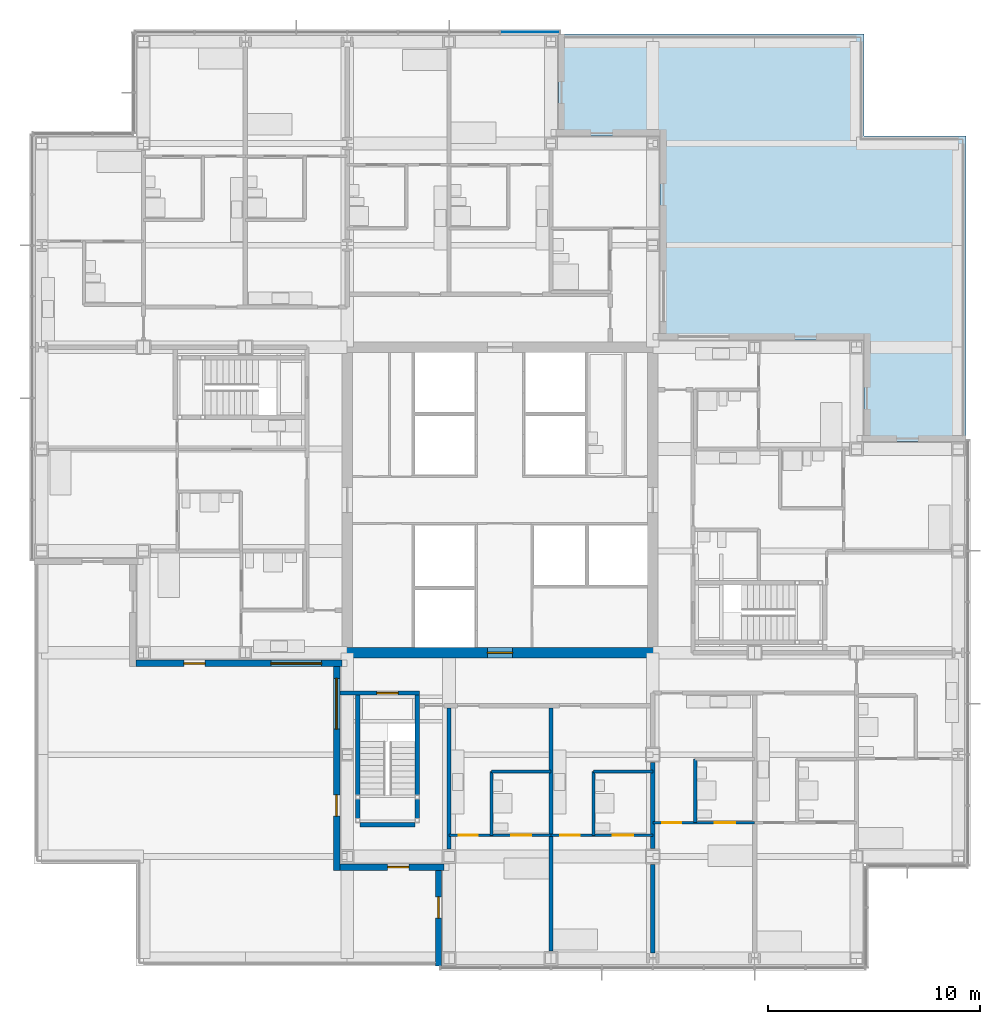
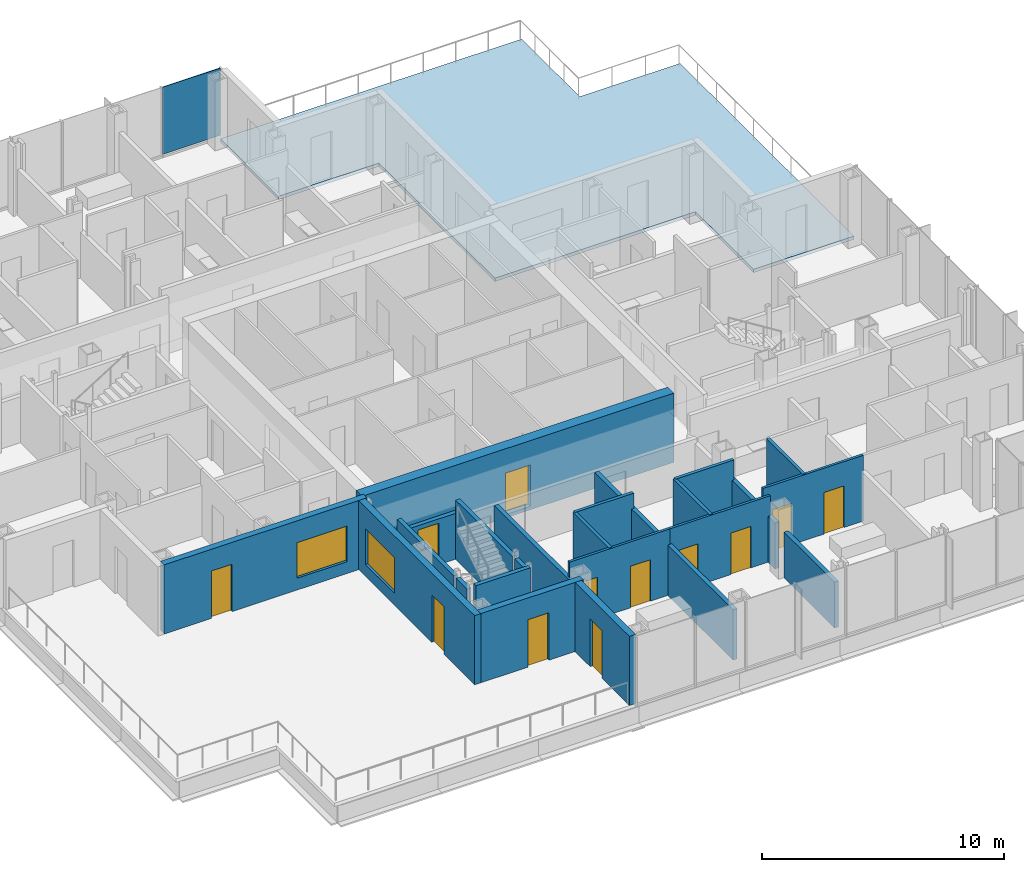
# One storey, part 11 of 19: 23 walls, 12 doors, 2 windows, 1 plate, 1 slab, 14 openings, 1 element without a shape of its own.
"""IFC4 building model written with IfcOpenShell, lengths in metres."""

from ifc_helpers import new_model, si_unit, direction, frame, frame_2d, origin, origin_2d, place, context, subcontext, project, spatial, polyline, rectangle, outline, extrude, material, layer, layer_set, type_object, element, fill, aggregate, save


model = new_model("IFC4")

# Units and contexts
model_context = context("Model", 3, precision=1e-05, world=origin(), true_north=direction((0.0, 1.0)))
body_context = subcontext(model_context, "Body", "Model", "MODEL_VIEW")
ifc_project = project(units=[si_unit("LENGTHUNIT", "METRE"), si_unit("AREAUNIT", "SQUARE_METRE"), si_unit("VOLUMEUNIT", "CUBIC_METRE"), si_unit("PLANEANGLEUNIT", "RADIAN"), si_unit("MASSUNIT", "GRAM", prefix="KILO")], contexts=[model_context])

# Site, building, storey
site_placement = place(None, origin())
site = spatial("IfcSite", under=ifc_project, at=site_placement, CompositionType="ELEMENT")
building_placement = place(site_placement, origin())
building = spatial("IfcBuilding", under=site, at=building_placement, Name="Kvirike Care Tower", CompositionType="ELEMENT")
storey_placement = place(building_placement, frame((0.0, 0.0, 84.0)))
storey = spatial("IfcBuildingStorey", under=building, at=storey_placement, Name="L22", CompositionType="ELEMENT", Elevation=84.0)

# Slab
ifc_material_1 = material(Name="Concrete C35/45", Category="concrete")
ifc_layer_1 = layer(ifc_material_1, 0.169921875)
ifc_layer_set_1 = layer_set([ifc_layer_1], Name="TERRACE SLAB 170")
slab_type = type_object("IfcSlabType", Name="TERRACE SLAB 170", PredefinedType="ROOF", material=ifc_layer_set_1)
slab_placement = place(storey_placement, frame((0.0, 0.0, -0.169921875)))
element("IfcSlab", 1, at=slab_placement, inside=storey, type_object=slab_type, Name="Terrace L22 2", PredefinedType="ROOF", context=body_context, shape_type="SweptSolid", body=[
    extrude(outline(polyline([(38.75, 57.949951171875), (24.35009765625, 57.949951171875), (24.35009765625, 53.14990234375), (29.14990234375, 53.14990234375), (29.14990234375, 43.550048828125), (38.75, 43.550048828125), (38.75, 38.75), (43.550048828125, 38.75), (43.550048828125, 53.14990234375), (38.75, 53.14990234375), (38.75, 57.949951171875)])), origin(), (0.0, 0.0, 1.0), 0.169921875),
])

# Curtain wall, plate
ifc_material_2 = material(Name="Anodised aluminium stick system", Category="aluminium")
curtain_wall_type = type_object("IfcCurtainWallType", Name="CW-B STICK CURTAIN WALL", PredefinedType="NOTDEFINED", material=ifc_material_2)
curtain_wall_placement = place(storey_placement, origin())
curtain_wall = element("IfcCurtainWall", 2, at=curtain_wall_placement, inside=storey, type_object=curtain_wall_type, Name="Curtain wall L22 face 8", PredefinedType="NOTDEFINED")
ifc_material_3 = material(Name="Tinted double glazed unit", Category="glass")
ifc_layer_2 = layer(ifc_material_3, 0.035888671875)
ifc_layer_set_2 = layer_set([ifc_layer_2], Name="TINTED VISION PANEL 36")
plate_type = type_object("IfcPlateType", Name="TINTED VISION PANEL 36", PredefinedType="CURTAIN_PANEL", material=ifc_layer_set_2)
plate_placement = place(storey_placement, frame((23.013671875, 58.06005859375, 0.10009765625), z_axis=(0.0, 0.0, 1.0), x_axis=(-1.0, 0.0, 0.0)))
plate = element("IfcPlate", 3, at=plate_placement, type_object=plate_type, Name="CW-B panel L22 face 8.1", PredefinedType="CURTAIN_PANEL", context=body_context, shape_type="SweptSolid", body=[
    extrude(rectangle(XDim=2.762451171875, YDim=0.035888671875, at=origin_2d()), origin(), (0.0, 0.0, 1.0), 3.39990234375),
])
aggregate(curtain_wall, [plate])

# Walls
ifc_material_4 = material(Name="Moisture-resistant board partition", Category="gypsum")
ifc_layer_3 = layer(ifc_material_4, 0.14990234375)
ifc_layer_set_3 = layer_set([ifc_layer_3], Name="BATHROOM WALL 150")
wall_type_1 = type_object("IfcWallType", Name="BATHROOM WALL 150", PredefinedType="PARTITIONING", material=ifc_layer_set_3)
wall_1_placement = place(storey_placement, frame((21.199951171875, 20.199951171875, 0.0), z_axis=(0.0, 0.0, 1.0), x_axis=(0.0, 1.0, 0.0)))
element("IfcWall", 4, at=wall_1_placement, inside=storey, type_object=wall_type_1, Name="Bathroom Wall 150 L22", PredefinedType="PARTITIONING", context=body_context, shape_type="SweptSolid", body=[
    extrude(rectangle(XDim=3.0, YDim=0.14990234375, at=frame_2d((1.5, 0.0))), origin(), (0.0, 0.0, 1.0), 3.330078125),
])
wall_2_placement = place(storey_placement, frame((21.199951171875, 23.199951171875, 0.0), z_axis=(0.0, 0.0, 1.0), x_axis=(1.0, 0.0, 0.0)))
element("IfcWall", 5, at=wall_2_placement, inside=storey, type_object=wall_type_1, Name="Bathroom Wall 150 L22", PredefinedType="PARTITIONING", context=body_context, shape_type="SweptSolid", body=[
    extrude(rectangle(XDim=2.800048828125, YDim=0.14990234375, at=frame_2d((1.39990234375, 0.0))), origin(), (0.0, 0.0, 1.0), 3.330078125),
])
wall_3_placement = place(storey_placement, frame((26.0, 20.199951171875, 0.0), z_axis=(0.0, 0.0, 1.0), x_axis=(0.0, 1.0, 0.0)))
element("IfcWall", 6, at=wall_3_placement, inside=storey, type_object=wall_type_1, Name="Bathroom Wall 150 L22", PredefinedType="PARTITIONING", context=body_context, shape_type="SweptSolid", body=[
    extrude(rectangle(XDim=3.0, YDim=0.14990234375, at=frame_2d((1.5, 0.0))), origin(), (0.0, 0.0, 1.0), 3.330078125),
])
wall_4_placement = place(storey_placement, frame((26.0, 23.199951171875, 0.0), z_axis=(0.0, 0.0, 1.0), x_axis=(1.0, 0.0, 0.0)))
element("IfcWall", 7, at=wall_4_placement, inside=storey, type_object=wall_type_1, Name="Bathroom Wall 150 L22", PredefinedType="PARTITIONING", context=body_context, shape_type="SweptSolid", body=[
    extrude(rectangle(XDim=2.800048828125, YDim=0.14990234375, at=frame_2d((1.39990234375, 0.0))), origin(), (0.0, 0.0, 1.0), 3.330078125),
])
wall_5_placement = place(storey_placement, frame((30.800048828125, 20.800048828125, 0.0), z_axis=(0.0, 0.0, 1.0), x_axis=(0.0, 1.0, 0.0)))
element("IfcWall", 8, at=wall_5_placement, inside=storey, type_object=wall_type_1, Name="Bathroom Wall 150 L22", PredefinedType="PARTITIONING", context=body_context, shape_type="SweptSolid", body=[
    extrude(rectangle(XDim=3.0, YDim=0.14990234375, at=frame_2d((1.5, 0.0))), origin(), (0.0, 0.0, 1.0), 3.330078125),
])

# Wall, opening, door
ifc_material_5 = material(Name="Concrete C50/60", Category="concrete")
ifc_layer_4 = layer(ifc_material_5, 0.5)
ifc_layer_set_4 = layer_set([ifc_layer_4], Name="CORE WALL 500 C50-60")
wall_type_2 = type_object("IfcWallType", Name="CORE WALL 500 C50-60", PredefinedType="SHEAR", material=ifc_layer_set_4)
wall_6_placement = place(storey_placement, frame((14.14990234375, 28.800048828125, -0.169921875), z_axis=(0.0, 0.0, 1.0), x_axis=(1.0, 0.0, 0.0)))
wall_6 = element("IfcWall", 9, at=wall_6_placement, inside=storey, type_object=wall_type_2, Name="Core wall S L22", PredefinedType="SHEAR", context=body_context, shape_type="SweptSolid", body=[
    extrude(rectangle(XDim=14.900146484375, YDim=0.5, at=frame_2d((7.4501953125, 0.0))), origin(), (0.0, 0.0, 1.0), 3.5),
])
opening_1_placement = place(wall_6_placement, frame((6.85009765625, 0.0, 0.169921875)))
opening_1 = element("IfcOpeningElement", 10, at=opening_1_placement, cuts=wall_6, Name="Opening 22-067", PredefinedType="OPENING", context=body_context, shape_type="SweptSolid", body=[
    extrude(rectangle(XDim=1.199951171875, YDim=2.10009765625, at=frame_2d((0.60009765625, 1.050048828125))), frame((0.0, 0.260498046875, 0.0), z_axis=(0.0, -1.0, 0.0), x_axis=(1.0, 0.0, 0.0)), (0.0, 0.0, 1.0), 0.52099609375),
])
ifc_material_6 = material(Name="Timber door set", Category="wood")
door_type_1 = type_object("IfcDoorType", Name="CORE DOOR 1200", OperationType="SINGLE_SWING_LEFT", PredefinedType="DOOR", material=ifc_material_6)
door_1_placement = place(opening_1_placement, origin())
door_1 = element("IfcDoor", 11, at=door_1_placement, inside=storey, type_object=door_type_1, Name="Core door S L22", OperationType="SINGLE_SWING_LEFT", OverallHeight=2.10009765625, OverallWidth=1.199951171875, PredefinedType="DOOR", context=body_context, shape_type="SweptSolid", body=[
    extrude(rectangle(XDim=1.199951171875, YDim=2.10009765625, at=frame_2d((0.60009765625, 1.050048828125))), frame((0.0, 0.02685546875, 0.0), z_axis=(0.0, -1.0, 0.0), x_axis=(1.0, 0.0, 0.0)), (0.0, 0.0, 1.0), 0.053955078125),
])
fill(opening_1, door_1)

# Wall, openings, doors
ifc_material_7 = material(Name="Plasterboard partition", Category="gypsum")
ifc_layer_5 = layer(ifc_material_7, 0.1201171875)
ifc_layer_set_5 = layer_set([ifc_layer_5], Name="PARTITION 120")
wall_type_3 = type_object("IfcWallType", Name="PARTITION 120", PredefinedType="PARTITIONING", material=ifc_layer_set_5)
wall_7_placement = place(storey_placement, frame((19.199951171875, 20.199951171875, 0.0), z_axis=(0.0, 0.0, 1.0), x_axis=(1.0, 0.0, 0.0)))
wall_7 = element("IfcWall", 12, at=wall_7_placement, inside=storey, type_object=wall_type_3, Name="Partition 120 L22", PredefinedType="PARTITIONING", context=body_context, shape_type="SweptSolid", body=[
    extrude(rectangle(XDim=4.800048828125, YDim=0.1201171875, at=frame_2d((2.39990234375, 0.0))), origin(), (0.0, 0.0, 1.0), 3.330078125),
])
opening_2_placement = place(wall_7_placement, frame((0.449951171875, 0.0, 0.0)))
opening_2 = element("IfcOpeningElement", 13, at=opening_2_placement, cuts=wall_7, Name="Opening 22-019", PredefinedType="OPENING", context=body_context, shape_type="SweptSolid", body=[
    extrude(rectangle(XDim=0.89990234375, YDim=2.10009765625, at=frame_2d((0.449951171875, 1.050048828125))), frame((0.0, 0.070556640625, 0.0), z_axis=(0.0, -1.0, 0.0), x_axis=(1.0, 0.0, 0.0)), (0.0, 0.0, 1.0), 0.14111328125),
])
opening_3_placement = place(wall_7_placement, frame((2.925048828125, 0.0, 0.0)))
opening_3 = element("IfcOpeningElement", 14, at=opening_3_placement, cuts=wall_7, Name="Opening 22-020", PredefinedType="OPENING", context=body_context, shape_type="SweptSolid", body=[
    extrude(rectangle(XDim=0.949951171875, YDim=2.10009765625, at=frame_2d((0.47509765625, 1.050048828125))), frame((0.0, 0.070556640625, 0.0), z_axis=(0.0, -1.0, 0.0), x_axis=(1.0, 0.0, 0.0)), (0.0, 0.0, 1.0), 0.14111328125),
])
ifc_material_8 = material(Name="Timber door set", Category="wood")
door_type_2 = type_object("IfcDoorType", Name="EN-SUITE SLIDING DOOR 950", OperationType="SLIDING_TO_LEFT", PredefinedType="DOOR", material=ifc_material_8)
door_2_placement = place(opening_3_placement, origin())
door_2 = element("IfcDoor", 15, at=door_2_placement, inside=storey, type_object=door_type_2, Name="En-suite door", OperationType="SLIDING_TO_RIGHT", OverallHeight=2.10009765625, OverallWidth=0.949951171875, PredefinedType="DOOR", context=body_context, shape_type="SweptSolid", body=[
    extrude(rectangle(XDim=0.949951171875, YDim=2.10009765625, at=frame_2d((0.47509765625, 1.050048828125))), frame((0.0, 0.02197265625, 0.0), z_axis=(0.0, -1.0, 0.0), x_axis=(1.0, 0.0, 0.0)), (0.0, 0.0, 1.0), 0.0439453125),
])
fill(opening_3, door_2)
ifc_material_9 = material(Name="Timber door set", Category="wood")
door_type_3 = type_object("IfcDoorType", Name="INTERNAL DOOR 900", OperationType="SINGLE_SWING_LEFT", PredefinedType="DOOR", material=ifc_material_9)
door_3_placement = place(opening_2_placement, origin())
door_3 = element("IfcDoor", 16, at=door_3_placement, inside=storey, type_object=door_type_3, Name="Assisted living suite door", OperationType="SINGLE_SWING_RIGHT", OverallHeight=2.10009765625, OverallWidth=0.89990234375, PredefinedType="DOOR", context=body_context, shape_type="SweptSolid", body=[
    extrude(rectangle(XDim=0.89990234375, YDim=2.10009765625, at=frame_2d((0.449951171875, 1.050048828125))), frame((0.0, 0.02197265625, 0.0), z_axis=(0.0, -1.0, 0.0), x_axis=(1.0, 0.0, 0.0)), (0.0, 0.0, 1.0), 0.0439453125),
])
fill(opening_2, door_3)

wall_8_placement = place(storey_placement, frame((24.0, 20.199951171875, 0.0), z_axis=(0.0, 0.0, 1.0), x_axis=(1.0, 0.0, 0.0)))
wall_8 = element("IfcWall", 17, at=wall_8_placement, inside=storey, type_object=wall_type_3, Name="Partition 120 L22", PredefinedType="PARTITIONING", context=body_context, shape_type="SweptSolid", body=[
    extrude(rectangle(XDim=4.800048828125, YDim=0.1201171875, at=frame_2d((2.39990234375, 0.0))), origin(), (0.0, 0.0, 1.0), 3.330078125),
])
opening_4_placement = place(wall_8_placement, frame((0.449951171875, 0.0, 0.0)))
opening_4 = element("IfcOpeningElement", 18, at=opening_4_placement, cuts=wall_8, Name="Opening 22-021", PredefinedType="OPENING", context=body_context, shape_type="SweptSolid", body=[
    extrude(rectangle(XDim=0.89990234375, YDim=2.10009765625, at=frame_2d((0.449951171875, 1.050048828125))), frame((0.0, 0.070556640625, 0.0), z_axis=(0.0, -1.0, 0.0), x_axis=(1.0, 0.0, 0.0)), (0.0, 0.0, 1.0), 0.14111328125),
])
opening_5_placement = place(wall_8_placement, frame((2.925048828125, 0.0, 0.0)))
opening_5 = element("IfcOpeningElement", 19, at=opening_5_placement, cuts=wall_8, Name="Opening 22-022", PredefinedType="OPENING", context=body_context, shape_type="SweptSolid", body=[
    extrude(rectangle(XDim=0.949951171875, YDim=2.10009765625, at=frame_2d((0.47509765625, 1.050048828125))), frame((0.0, 0.070556640625, 0.0), z_axis=(0.0, -1.0, 0.0), x_axis=(1.0, 0.0, 0.0)), (0.0, 0.0, 1.0), 0.14111328125),
])
door_4_placement = place(opening_5_placement, origin())
door_4 = element("IfcDoor", 20, at=door_4_placement, inside=storey, type_object=door_type_2, Name="En-suite door", OperationType="SLIDING_TO_RIGHT", OverallHeight=2.10009765625, OverallWidth=0.949951171875, PredefinedType="DOOR", context=body_context, shape_type="SweptSolid", body=[
    extrude(rectangle(XDim=0.949951171875, YDim=2.10009765625, at=frame_2d((0.47509765625, 1.050048828125))), frame((0.0, 0.02197265625, 0.0), z_axis=(0.0, -1.0, 0.0), x_axis=(1.0, 0.0, 0.0)), (0.0, 0.0, 1.0), 0.0439453125),
])
fill(opening_5, door_4)
door_5_placement = place(opening_4_placement, origin())
door_5 = element("IfcDoor", 21, at=door_5_placement, inside=storey, type_object=door_type_3, Name="Assisted living suite door", OperationType="SINGLE_SWING_RIGHT", OverallHeight=2.10009765625, OverallWidth=0.89990234375, PredefinedType="DOOR", context=body_context, shape_type="SweptSolid", body=[
    extrude(rectangle(XDim=0.89990234375, YDim=2.10009765625, at=frame_2d((0.449951171875, 1.050048828125))), frame((0.0, 0.02197265625, 0.0), z_axis=(0.0, -1.0, 0.0), x_axis=(1.0, 0.0, 0.0)), (0.0, 0.0, 1.0), 0.0439453125),
])
fill(opening_4, door_5)

wall_9_placement = place(storey_placement, frame((28.800048828125, 20.800048828125, 0.0), z_axis=(0.0, 0.0, 1.0), x_axis=(1.0, 0.0, 0.0)))
wall_9 = element("IfcWall", 22, at=wall_9_placement, inside=storey, type_object=wall_type_3, Name="Partition 120 L22", PredefinedType="PARTITIONING", context=body_context, shape_type="SweptSolid", body=[
    extrude(rectangle(XDim=4.800048828125, YDim=0.1201171875, at=frame_2d((2.39990234375, 0.0))), origin(), (0.0, 0.0, 1.0), 3.330078125),
])
opening_6_placement = place(wall_9_placement, frame((0.449951171875, 0.0, 0.0)))
opening_6 = element("IfcOpeningElement", 23, at=opening_6_placement, cuts=wall_9, Name="Opening 22-034", PredefinedType="OPENING", context=body_context, shape_type="SweptSolid", body=[
    extrude(rectangle(XDim=0.89990234375, YDim=2.10009765625, at=frame_2d((0.449951171875, 1.050048828125))), frame((0.0, 0.070556640625, 0.0), z_axis=(0.0, -1.0, 0.0), x_axis=(1.0, 0.0, 0.0)), (0.0, 0.0, 1.0), 0.14111328125),
])
opening_7_placement = place(wall_9_placement, frame((2.925048828125, 0.0, 0.0)))
opening_7 = element("IfcOpeningElement", 24, at=opening_7_placement, cuts=wall_9, Name="Opening 22-035", PredefinedType="OPENING", context=body_context, shape_type="SweptSolid", body=[
    extrude(rectangle(XDim=0.949951171875, YDim=2.10009765625, at=frame_2d((0.47509765625, 1.050048828125))), frame((0.0, 0.070556640625, 0.0), z_axis=(0.0, -1.0, 0.0), x_axis=(1.0, 0.0, 0.0)), (0.0, 0.0, 1.0), 0.14111328125),
])
door_6_placement = place(opening_7_placement, origin())
door_6 = element("IfcDoor", 25, at=door_6_placement, inside=storey, type_object=door_type_2, Name="En-suite door", OperationType="SLIDING_TO_LEFT", OverallHeight=2.10009765625, OverallWidth=0.949951171875, PredefinedType="DOOR", context=body_context, shape_type="SweptSolid", body=[
    extrude(rectangle(XDim=0.949951171875, YDim=2.10009765625, at=frame_2d((0.47509765625, 1.050048828125))), frame((0.0, 0.02197265625, 0.0), z_axis=(0.0, -1.0, 0.0), x_axis=(1.0, 0.0, 0.0)), (0.0, 0.0, 1.0), 0.0439453125),
])
fill(opening_7, door_6)
door_7_placement = place(opening_6_placement, origin())
door_7 = element("IfcDoor", 26, at=door_7_placement, inside=storey, type_object=door_type_3, Name="Assisted living suite door", OperationType="SINGLE_SWING_RIGHT", OverallHeight=2.10009765625, OverallWidth=0.89990234375, PredefinedType="DOOR", context=body_context, shape_type="SweptSolid", body=[
    extrude(rectangle(XDim=0.89990234375, YDim=2.10009765625, at=frame_2d((0.449951171875, 1.050048828125))), frame((0.0, 0.02197265625, 0.0), z_axis=(0.0, -1.0, 0.0), x_axis=(1.0, 0.0, 0.0)), (0.0, 0.0, 1.0), 0.0439453125),
])
fill(opening_6, door_7)

# Walls
ifc_material_10 = material(Name="Plasterboard party wall", Category="gypsum")
ifc_layer_6 = layer(ifc_material_10, 0.199951171875)
ifc_layer_set_6 = layer_set([ifc_layer_6], Name="PARTY WALL 200")
wall_type_4 = type_object("IfcWallType", Name="PARTY WALL 200", PredefinedType="PARTITIONING", material=ifc_layer_set_6)
wall_10_placement = place(storey_placement, frame((19.199951171875, 19.544921875, 0.0), z_axis=(0.0, 0.0, 1.0), x_axis=(0.0, 1.0, 0.0)))
element("IfcWall", 27, at=wall_10_placement, inside=storey, type_object=wall_type_4, Name="Party Wall 200 L22", PredefinedType="PARTITIONING", context=body_context, shape_type="SweptSolid", body=[
    extrude(rectangle(XDim=6.655029296875, YDim=0.199951171875, at=frame_2d((3.32763671875, 0.0))), origin(), (0.0, 0.0, 1.0), 2.550048828125),
])
wall_11_placement = place(storey_placement, frame((24.0, 14.7451171875, 0.0), z_axis=(0.0, 0.0, 1.0), x_axis=(0.0, 1.0, 0.0)))
element("IfcWall", 28, at=wall_11_placement, inside=storey, type_object=wall_type_4, Name="Party Wall 200 L22", PredefinedType="PARTITIONING", context=body_context, shape_type="SweptSolid", body=[
    extrude(rectangle(XDim=11.454833984375, YDim=0.199951171875, at=frame_2d((5.7275390625, 0.0))), origin(), (0.0, 0.0, 1.0), 2.550048828125),
])
wall_12_placement = place(storey_placement, frame((28.800048828125, 14.64697265625, 0.0), z_axis=(0.0, 0.0, 1.0), x_axis=(0.0, 1.0, 0.0)))
element("IfcWall", 29, at=wall_12_placement, inside=storey, type_object=wall_type_4, Name="Party Wall 200 L22", PredefinedType="PARTITIONING", context=body_context, shape_type="SweptSolid", body=[
    extrude(rectangle(XDim=4.18310546875, YDim=0.199951171875, at=frame_2d((2.091552734375, 0.0))), origin(), (0.0, 0.0, 1.0), 2.320068359375),
])
wall_13_placement = place(storey_placement, frame((28.800048828125, 19.570068359375, 0.0), z_axis=(0.0, 0.0, 1.0), x_axis=(0.0, 1.0, 0.0)))
element("IfcWall", 30, at=wall_13_placement, inside=storey, type_object=wall_type_4, Name="Party Wall 200 L22", PredefinedType="PARTITIONING", context=body_context, shape_type="SweptSolid", body=[
    extrude(rectangle(XDim=4.059814453125, YDim=0.199951171875, at=frame_2d((2.02978515625, 0.0))), origin(), (0.0, 0.0, 1.0), 2.320068359375),
])
ifc_material_11 = material(Name="Concrete C40/50", Category="concrete")
ifc_layer_7 = layer(ifc_material_11, 0.199951171875)
ifc_layer_set_7 = layer_set([ifc_layer_7], Name="STAIR WALL 200")
wall_type_5 = type_object("IfcWallType", Name="STAIR WALL 200", PredefinedType="SOLIDWALL", material=ifc_layer_set_7)
wall_14_placement = place(storey_placement, frame((14.89990234375, 21.0, 0.0), z_axis=(0.0, 0.0, 1.0), x_axis=(0.0, 1.0, 0.0)))
element("IfcWall", 31, at=wall_14_placement, inside=storey, type_object=wall_type_5, Name="Stair Wall 200 L22", PredefinedType="SOLIDWALL", context=body_context, shape_type="SweptSolid", body=[
    extrude(rectangle(XDim=0.89990234375, YDim=0.199951171875, at=frame_2d((0.449951171875, 0.0))), origin(), (0.0, 0.0, 1.0), 2.989990234375),
])
wall_15_placement = place(storey_placement, frame((14.89990234375, 22.10009765625, 0.0), z_axis=(0.0, 0.0, 1.0), x_axis=(0.0, 1.0, 0.0)))
element("IfcWall", 32, at=wall_15_placement, inside=storey, type_object=wall_type_5, Name="Stair Wall 200 L22", PredefinedType="SOLIDWALL", context=body_context, shape_type="SweptSolid", body=[
    extrude(rectangle(XDim=4.699951171875, YDim=0.199951171875, at=frame_2d((2.35009765625, 0.0))), origin(), (0.0, 0.0, 1.0), 2.989990234375),
])
wall_16_placement = place(storey_placement, frame((17.699951171875, 21.0, 0.0), z_axis=(0.0, 0.0, 1.0), x_axis=(0.0, 1.0, 0.0)))
element("IfcWall", 33, at=wall_16_placement, inside=storey, type_object=wall_type_5, Name="Stair Wall 200 L22", PredefinedType="SOLIDWALL", context=body_context, shape_type="SweptSolid", body=[
    extrude(rectangle(XDim=0.89990234375, YDim=0.199951171875, at=frame_2d((0.449951171875, 0.0))), origin(), (0.0, 0.0, 1.0), 2.989990234375),
])
wall_17_placement = place(storey_placement, frame((17.699951171875, 22.10009765625, 0.0), z_axis=(0.0, 0.0, 1.0), x_axis=(0.0, 1.0, 0.0)))
element("IfcWall", 34, at=wall_17_placement, inside=storey, type_object=wall_type_5, Name="Stair Wall 200 L22", PredefinedType="SOLIDWALL", context=body_context, shape_type="SweptSolid", body=[
    extrude(rectangle(XDim=4.699951171875, YDim=0.199951171875, at=frame_2d((2.35009765625, 0.0))), origin(), (0.0, 0.0, 1.0), 2.989990234375),
])
wall_18_placement = place(storey_placement, frame((15.0, 20.699951171875, 0.0), z_axis=(0.0, 0.0, 1.0), x_axis=(1.0, 0.0, 0.0)))
element("IfcWall", 35, at=wall_18_placement, inside=storey, type_object=wall_type_5, Name="Stair Wall 200 L22", PredefinedType="SOLIDWALL", context=body_context, shape_type="SweptSolid", body=[
    extrude(rectangle(XDim=2.60009765625, YDim=0.199951171875, at=frame_2d((1.300048828125, 0.0))), origin(), (0.0, 0.0, 1.0), 3.330078125),
])

# Wall, opening, door
wall_19_placement = place(storey_placement, frame((14.050048828125, 26.89990234375, 0.0), z_axis=(0.0, 0.0, 1.0), x_axis=(1.0, 0.0, 0.0)))
wall_19 = element("IfcWall", 36, at=wall_19_placement, inside=storey, type_object=wall_type_5, Name="Stair Wall 200 L22", PredefinedType="SOLIDWALL", context=body_context, shape_type="SweptSolid", body=[
    extrude(rectangle(XDim=3.75, YDim=0.199951171875, at=frame_2d((1.875, 0.0))), origin(), (0.0, 0.0, 1.0), 2.320068359375),
])
opening_8_placement = place(wall_19_placement, frame((1.75, 0.0, 0.0)))
opening_8 = element("IfcOpeningElement", 37, at=opening_8_placement, cuts=wall_19, Name="Opening 22-018", PredefinedType="OPENING", context=body_context, shape_type="SweptSolid", body=[
    extrude(rectangle(XDim=1.0, YDim=2.10009765625, at=frame_2d((0.5, 1.050048828125))), frame((0.0, 0.110595703125, 0.0), z_axis=(0.0, -1.0, 0.0), x_axis=(1.0, 0.0, 0.0)), (0.0, 0.0, 1.0), 0.220947265625),
])
ifc_material_12 = material(Name="Timber door set", Category="wood")
door_type_4 = type_object("IfcDoorType", Name="STAIR DOOR 1000", OperationType="SINGLE_SWING_LEFT", PredefinedType="DOOR", material=ifc_material_12)
door_8_placement = place(opening_8_placement, frame((1.0, 0.0, 0.0), z_axis=(0.0, 0.0, 1.0), x_axis=(-1.0, 0.0, 0.0)))
door_8 = element("IfcDoor", 38, at=door_8_placement, inside=storey, type_object=door_type_4, Name="Stair 5 door", OperationType="SINGLE_SWING_RIGHT", OverallHeight=2.10009765625, OverallWidth=1.0, PredefinedType="DOOR", context=body_context, shape_type="SweptSolid", body=[
    extrude(rectangle(XDim=1.0, YDim=2.10009765625, at=frame_2d((0.5, 1.050048828125))), frame((0.0, 0.031982421875, 0.0), z_axis=(0.0, -1.0, 0.0), x_axis=(1.0, 0.0, 0.0)), (0.0, 0.0, 1.0), 0.06396484375),
])
fill(opening_8, door_8)

# Wall, openings, door, window
ifc_material_13 = material(Name="Bronze-clad insulated blockwork wall", Category="masonry")
ifc_layer_8 = layer(ifc_material_13, 0.300048828125)
ifc_layer_set_8 = layer_set([ifc_layer_8], Name="TERRACE WALL 300")
wall_type_6 = type_object("IfcWallType", Name="TERRACE WALL 300", PredefinedType="SOLIDWALL", material=ifc_layer_set_8)
wall_20_placement = place(storey_placement, frame((4.449951171875, 28.300048828125, 0.0), z_axis=(0.0, 0.0, 1.0), x_axis=(1.0, 0.0, 0.0)))
wall_20 = element("IfcWall", 39, at=wall_20_placement, inside=storey, type_object=wall_type_6, Name="Terrace wall L22 face 14", PredefinedType="SOLIDWALL", context=body_context, shape_type="SweptSolid", body=[
    extrude(rectangle(XDim=9.699951171875, YDim=0.300048828125, at=frame_2d((4.85009765625, 0.0))), origin(), (0.0, 0.0, 1.0), 3.5),
])
opening_9_placement = place(wall_20_placement, frame((2.25, 0.0, 0.0)))
opening_9 = element("IfcOpeningElement", 40, at=opening_9_placement, cuts=wall_20, Name="Opening 22-809", PredefinedType="OPENING", context=body_context, shape_type="SweptSolid", body=[
    extrude(rectangle(XDim=1.0, YDim=2.39990234375, at=frame_2d((0.5, 1.199951171875))), frame((0.0, 0.16064453125, 0.0), z_axis=(0.0, -1.0, 0.0), x_axis=(1.0, 0.0, 0.0)), (0.0, 0.0, 1.0), 0.321044921875),
])
opening_10_placement = place(wall_20_placement, frame((6.35009765625, 0.0, 0.60009765625)))
opening_10 = element("IfcOpeningElement", 41, at=opening_10_placement, cuts=wall_20, Name="Opening W01", PredefinedType="OPENING", context=body_context, shape_type="SweptSolid", body=[
    extrude(rectangle(XDim=2.39990234375, YDim=1.800048828125, at=frame_2d((1.199951171875, 0.89990234375))), frame((0.0, 0.16064453125, 0.0), z_axis=(0.0, -1.0, 0.0), x_axis=(1.0, 0.0, 0.0)), (0.0, 0.0, 1.0), 0.321044921875),
])
ifc_material_14 = material(Name="Aluminium door frame", Category="aluminium")
door_type_5 = type_object("IfcDoorType", Name="TERRACE DOOR 1000", OperationType="SINGLE_SWING_LEFT", PredefinedType="DOOR", material=ifc_material_14)
door_9_placement = place(opening_9_placement, origin())
door_9 = element("IfcDoor", 42, at=door_9_placement, inside=storey, type_object=door_type_5, Name="Assisted living suite terrace door", OperationType="SINGLE_SWING_LEFT", OverallHeight=2.39990234375, OverallWidth=1.0, PredefinedType="DOOR", context=body_context, shape_type="SweptSolid", body=[
    extrude(rectangle(XDim=1.0, YDim=2.39990234375, at=frame_2d((0.5, 1.199951171875))), frame((0.0, 0.03515625, 0.0), z_axis=(0.0, -1.0, 0.0), x_axis=(1.0, 0.0, 0.0)), (0.0, 0.0, 1.0), 0.070068359375),
])
fill(opening_9, door_9)
ifc_material_15 = material(Name="Bronze anodised aluminium window", Category="aluminium")
window_type = type_object("IfcWindowType", Name="TERRACE WINDOW 2400", PartitioningType="SINGLE_PANEL", PredefinedType="WINDOW", material=ifc_material_15)
window_1_placement = place(opening_10_placement, origin())
window_1 = element("IfcWindow", 43, at=window_1_placement, inside=storey, type_object=window_type, Name="Terrace Window 2400 L22", OverallHeight=1.800048828125, OverallWidth=2.39990234375, PartitioningType="SINGLE_PANEL", PredefinedType="WINDOW", context=body_context, shape_type="SweptSolid", body=[
    extrude(rectangle(XDim=2.39990234375, YDim=1.800048828125, at=frame_2d((1.199951171875, 0.89990234375))), frame((0.0, 0.030029296875, 0.0), z_axis=(0.0, -1.0, 0.0), x_axis=(1.0, 0.0, 0.0)), (0.0, 0.0, 1.0), 0.06005859375),
])
fill(opening_10, window_1)

wall_21_placement = place(storey_placement, frame((13.89990234375, 28.14990234375, 0.0), z_axis=(0.0, 0.0, 1.0), x_axis=(0.0, -1.0, 0.0)))
wall_21 = element("IfcWall", 44, at=wall_21_placement, inside=storey, type_object=wall_type_6, Name="Terrace wall L22 face 15", PredefinedType="SOLIDWALL", context=body_context, shape_type="SweptSolid", body=[
    extrude(rectangle(XDim=9.599853515625, YDim=0.300048828125, at=frame_2d((4.7998046875, 0.0))), origin(), (0.0, 0.0, 1.0), 3.5),
])
opening_11_placement = place(wall_21_placement, frame((6.050048828125, 0.0, 0.0)))
opening_11 = element("IfcOpeningElement", 45, at=opening_11_placement, cuts=wall_21, Name="Opening 22-810", PredefinedType="OPENING", context=body_context, shape_type="SweptSolid", body=[
    extrude(rectangle(XDim=1.0, YDim=2.39990234375, at=frame_2d((0.5, 1.199951171875))), frame((0.0, 0.16064453125, 0.0), z_axis=(0.0, -1.0, 0.0), x_axis=(1.0, 0.0, 0.0)), (0.0, 0.0, 1.0), 0.321044921875),
])
opening_12_placement = place(wall_21_placement, frame((0.550048828125, 0.0, 0.60009765625)))
opening_12 = element("IfcOpeningElement", 46, at=opening_12_placement, cuts=wall_21, Name="Opening W01", PredefinedType="OPENING", context=body_context, shape_type="SweptSolid", body=[
    extrude(rectangle(XDim=2.39990234375, YDim=1.800048828125, at=frame_2d((1.199951171875, 0.89990234375))), frame((0.0, 0.16064453125, 0.0), z_axis=(0.0, -1.0, 0.0), x_axis=(1.0, 0.0, 0.0)), (0.0, 0.0, 1.0), 0.321044921875),
])
door_10_placement = place(opening_11_placement, frame((1.0, 0.0, 0.0), z_axis=(0.0, 0.0, 1.0), x_axis=(-1.0, 0.0, 0.0)))
door_10 = element("IfcDoor", 47, at=door_10_placement, inside=storey, type_object=door_type_5, Name="Housekeeping room terrace door", OperationType="SINGLE_SWING_LEFT", OverallHeight=2.39990234375, OverallWidth=1.0, PredefinedType="DOOR", context=body_context, shape_type="SweptSolid", body=[
    extrude(rectangle(XDim=1.0, YDim=2.39990234375, at=frame_2d((0.5, 1.199951171875))), frame((0.0, 0.03515625, 0.0), z_axis=(0.0, -1.0, 0.0), x_axis=(1.0, 0.0, 0.0)), (0.0, 0.0, 1.0), 0.070068359375),
])
fill(opening_11, door_10)
window_2_placement = place(opening_12_placement, origin())
window_2 = element("IfcWindow", 48, at=window_2_placement, inside=storey, type_object=window_type, Name="Terrace Window 2400 L22", OverallHeight=1.800048828125, OverallWidth=2.39990234375, PartitioningType="SINGLE_PANEL", PredefinedType="WINDOW", context=body_context, shape_type="SweptSolid", body=[
    extrude(rectangle(XDim=2.39990234375, YDim=1.800048828125, at=frame_2d((1.199951171875, 0.89990234375))), frame((0.0, 0.030029296875, 0.0), z_axis=(0.0, -1.0, 0.0), x_axis=(1.0, 0.0, 0.0)), (0.0, 0.0, 1.0), 0.06005859375),
])
fill(opening_12, window_2)

# Wall, opening, door
wall_22_placement = place(storey_placement, frame((14.050048828125, 18.699951171875, 0.0), z_axis=(0.0, 0.0, 1.0), x_axis=(1.0, 0.0, 0.0)))
wall_22 = element("IfcWall", 49, at=wall_22_placement, inside=storey, type_object=wall_type_6, Name="Terrace wall L22 face 16", PredefinedType="SOLIDWALL", context=body_context, shape_type="SweptSolid", body=[
    extrude(rectangle(XDim=4.89990234375, YDim=0.300048828125, at=frame_2d((2.449951171875, 0.0))), origin(), (0.0, 0.0, 1.0), 3.5),
])
opening_13_placement = place(wall_22_placement, frame((2.25, 0.0, 0.0)))
opening_13 = element("IfcOpeningElement", 50, at=opening_13_placement, cuts=wall_22, Name="Opening 22-811", PredefinedType="OPENING", context=body_context, shape_type="SweptSolid", body=[
    extrude(rectangle(XDim=1.0, YDim=2.39990234375, at=frame_2d((0.5, 1.199951171875))), frame((0.0, 0.16064453125, 0.0), z_axis=(0.0, -1.0, 0.0), x_axis=(1.0, 0.0, 0.0)), (0.0, 0.0, 1.0), 0.321044921875),
])
door_11_placement = place(opening_13_placement, origin())
door_11 = element("IfcDoor", 51, at=door_11_placement, inside=storey, type_object=door_type_5, Name="Housekeeping room terrace door", OperationType="SINGLE_SWING_LEFT", OverallHeight=2.39990234375, OverallWidth=1.0, PredefinedType="DOOR", context=body_context, shape_type="SweptSolid", body=[
    extrude(rectangle(XDim=1.0, YDim=2.39990234375, at=frame_2d((0.5, 1.199951171875))), frame((0.0, 0.03515625, 0.0), z_axis=(0.0, -1.0, 0.0), x_axis=(1.0, 0.0, 0.0)), (0.0, 0.0, 1.0), 0.070068359375),
])
fill(opening_13, door_11)

wall_23_placement = place(storey_placement, frame((18.699951171875, 18.550048828125, 0.0), z_axis=(0.0, 0.0, 1.0), x_axis=(0.0, -1.0, 0.0)))
wall_23 = element("IfcWall", 52, at=wall_23_placement, inside=storey, type_object=wall_type_6, Name="Terrace wall L22 face 17", PredefinedType="SOLIDWALL", context=body_context, shape_type="SweptSolid", body=[
    extrude(rectangle(XDim=4.5, YDim=0.300048828125, at=frame_2d((2.25, 0.0))), origin(), (0.0, 0.0, 1.0), 3.5),
])
opening_14_placement = place(wall_23_placement, frame((1.25, 0.0, 0.0)))
opening_14 = element("IfcOpeningElement", 53, at=opening_14_placement, cuts=wall_23, Name="Opening 22-812", PredefinedType="OPENING", context=body_context, shape_type="SweptSolid", body=[
    extrude(rectangle(XDim=1.0, YDim=2.39990234375, at=frame_2d((0.5, 1.199951171875))), frame((0.0, 0.16064453125, 0.0), z_axis=(0.0, -1.0, 0.0), x_axis=(1.0, 0.0, 0.0)), (0.0, 0.0, 1.0), 0.321044921875),
])
door_12_placement = place(opening_14_placement, origin())
door_12 = element("IfcDoor", 54, at=door_12_placement, inside=storey, type_object=door_type_5, Name="Assisted living suite terrace door", OperationType="SINGLE_SWING_LEFT", OverallHeight=2.39990234375, OverallWidth=1.0, PredefinedType="DOOR", context=body_context, shape_type="SweptSolid", body=[
    extrude(rectangle(XDim=1.0, YDim=2.39990234375, at=frame_2d((0.5, 1.199951171875))), frame((0.0, 0.03515625, 0.0), z_axis=(0.0, -1.0, 0.0), x_axis=(1.0, 0.0, 0.0)), (0.0, 0.0, 1.0), 0.070068359375),
])
fill(opening_14, door_12)

save(model, "model.ifc")
